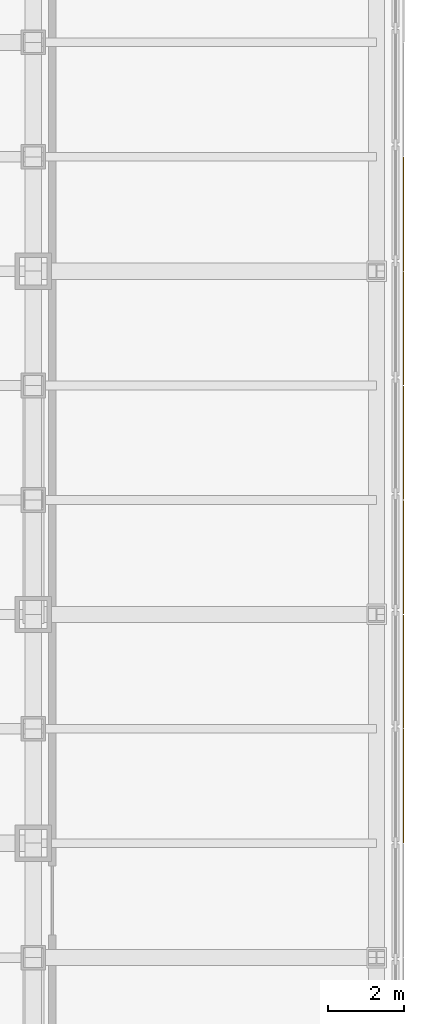
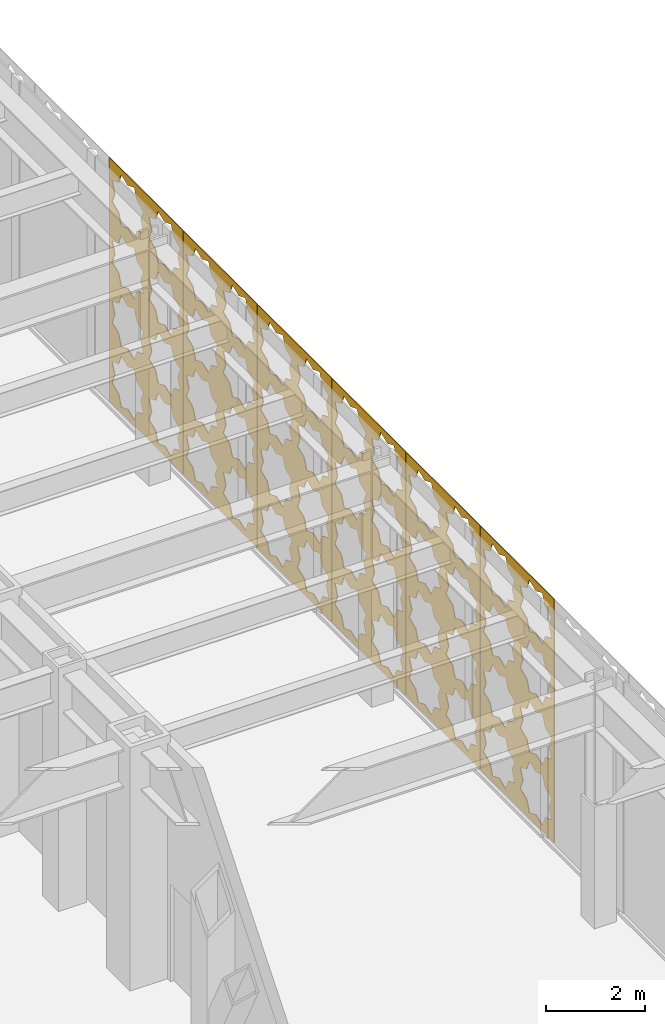
# One storey, part 31 of 32: 6 shading devices.
"""IFC4 building model written with IfcOpenShell, lengths in metres."""

from ifc_helpers import new_model, si_unit, direction, frame, origin, place, context, subcontext, project, spatial, polyline, outline, extrude, material, layer, layer_set, type_object, element, save


model = new_model("IFC4")

# Units and contexts
model_context = context("Model", 3, precision=1e-05, world=origin(), true_north=direction((0.0, 1.0)))
body_context = subcontext(model_context, "Body", "Model", "MODEL_VIEW")
ifc_project = project(units=[si_unit("LENGTHUNIT", "METRE"), si_unit("AREAUNIT", "SQUARE_METRE"), si_unit("VOLUMEUNIT", "CUBIC_METRE"), si_unit("PLANEANGLEUNIT", "RADIAN"), si_unit("MASSUNIT", "GRAM", prefix="KILO")], contexts=[model_context])

# Site, building, storey
site_placement = place(None, origin())
site = spatial("IfcSite", under=ifc_project, at=site_placement, CompositionType="ELEMENT")
building_placement = place(site_placement, origin())
building = spatial("IfcBuilding", under=site, at=building_placement, Name="Chuquiago Exchange Tower", CompositionType="ELEMENT")
storey_placement = place(building_placement, frame((0.0, 0.0, 13.5)))
storey = spatial("IfcBuildingStorey", under=building, at=storey_placement, Name="L02", CompositionType="ELEMENT", Elevation=13.5)

# Shading devices
ifc_material = material(Name="Pale metal, perforated in an eight-point star pattern", Category="aluminium")
ifc_layer = layer(ifc_material, 0.02001953125)
ifc_layer_set = layer_set([ifc_layer], Name="SC1 mashrabiya screen 20")
shading_device_type = type_object("IfcShadingDeviceType", Name="SC1 mashrabiya screen 20", PredefinedType="SHUTTER", material=ifc_layer_set)
shading_device_1_placement = place(storey_placement, frame((54.699951171875, 12.010009765625, -0.199951171875), z_axis=(0.0, 0.0, 1.0), x_axis=(0.0, 1.0, 0.0)))
element("IfcShadingDevice", 1, at=shading_device_1_placement, inside=storey, type_object=shading_device_type, Name="Mashrabiya screen L02 E 11", PredefinedType="SHUTTER", context=body_context, shape_type="SweptSolid", body=[
    extrude(outline(polyline([(0.0, 0.0), (2.97998046875, 0.0), (2.97998046875, 6.0), (0.0, 6.0), (0.0, 0.0)]), holes=[polyline([(1.26953125, 0.764892578125), (1.378173828125, 1.02734375), (1.115966796875, 1.135986328125), (1.00732421875, 1.398193359375), (0.7451171875, 1.28955078125), (0.482666015625, 1.398193359375), (0.3740234375, 1.135986328125), (0.11181640625, 1.02734375), (0.220458984375, 0.764892578125), (0.11181640625, 0.502685546875), (0.3740234375, 0.39404296875), (0.482666015625, 0.1318359375), (0.7451171875, 0.240234375), (1.00732421875, 0.1318359375), (1.115966796875, 0.39404296875), (1.378173828125, 0.502685546875), (1.26953125, 0.764892578125)]), polyline([(2.759521484375, 0.764892578125), (2.8681640625, 1.02734375), (2.60595703125, 1.135986328125), (2.497314453125, 1.398193359375), (2.235107421875, 1.28955078125), (1.97265625, 1.398193359375), (1.864013671875, 1.135986328125), (1.601806640625, 1.02734375), (1.71044921875, 0.764892578125), (1.601806640625, 0.502685546875), (1.864013671875, 0.39404296875), (1.97265625, 0.1318359375), (2.235107421875, 0.240234375), (2.497314453125, 0.1318359375), (2.60595703125, 0.39404296875), (2.8681640625, 0.502685546875), (2.759521484375, 0.764892578125)]), polyline([(1.26953125, 2.2548828125), (1.378173828125, 2.517333984375), (1.115966796875, 2.6259765625), (1.00732421875, 2.88818359375), (0.7451171875, 2.779541015625), (0.482666015625, 2.88818359375), (0.3740234375, 2.6259765625), (0.11181640625, 2.517333984375), (0.220458984375, 2.2548828125), (0.11181640625, 1.99267578125), (0.3740234375, 1.884033203125), (0.482666015625, 1.621826171875), (0.7451171875, 1.73046875), (1.00732421875, 1.621826171875), (1.115966796875, 1.884033203125), (1.378173828125, 1.99267578125), (1.26953125, 2.2548828125)]), polyline([(2.759521484375, 2.2548828125), (2.8681640625, 2.517333984375), (2.60595703125, 2.6259765625), (2.497314453125, 2.88818359375), (2.235107421875, 2.779541015625), (1.97265625, 2.88818359375), (1.864013671875, 2.6259765625), (1.601806640625, 2.517333984375), (1.71044921875, 2.2548828125), (1.601806640625, 1.99267578125), (1.864013671875, 1.884033203125), (1.97265625, 1.621826171875), (2.235107421875, 1.73046875), (2.497314453125, 1.621826171875), (2.60595703125, 1.884033203125), (2.8681640625, 1.99267578125), (2.759521484375, 2.2548828125)]), polyline([(1.26953125, 3.744873046875), (1.378173828125, 4.00732421875), (1.115966796875, 4.115966796875), (1.00732421875, 4.378173828125), (0.7451171875, 4.26953125), (0.482666015625, 4.378173828125), (0.3740234375, 4.115966796875), (0.11181640625, 4.00732421875), (0.220458984375, 3.744873046875), (0.11181640625, 3.482666015625), (0.3740234375, 3.3740234375), (0.482666015625, 3.11181640625), (0.7451171875, 3.220458984375), (1.00732421875, 3.11181640625), (1.115966796875, 3.3740234375), (1.378173828125, 3.482666015625), (1.26953125, 3.744873046875)]), polyline([(2.759521484375, 3.744873046875), (2.8681640625, 4.00732421875), (2.60595703125, 4.115966796875), (2.497314453125, 4.378173828125), (2.235107421875, 4.26953125), (1.97265625, 4.378173828125), (1.864013671875, 4.115966796875), (1.601806640625, 4.00732421875), (1.71044921875, 3.744873046875), (1.601806640625, 3.482666015625), (1.864013671875, 3.3740234375), (1.97265625, 3.11181640625), (2.235107421875, 3.220458984375), (2.497314453125, 3.11181640625), (2.60595703125, 3.3740234375), (2.8681640625, 3.482666015625), (2.759521484375, 3.744873046875)]), polyline([(1.26953125, 5.23486328125), (1.378173828125, 5.497314453125), (1.115966796875, 5.60595703125), (1.00732421875, 5.8681640625), (0.7451171875, 5.759521484375), (0.482666015625, 5.8681640625), (0.3740234375, 5.60595703125), (0.11181640625, 5.497314453125), (0.220458984375, 5.23486328125), (0.11181640625, 4.97265625), (0.3740234375, 4.864013671875), (0.482666015625, 4.601806640625), (0.7451171875, 4.71044921875), (1.00732421875, 4.601806640625), (1.115966796875, 4.864013671875), (1.378173828125, 4.97265625), (1.26953125, 5.23486328125)]), polyline([(2.759521484375, 5.23486328125), (2.8681640625, 5.497314453125), (2.60595703125, 5.60595703125), (2.497314453125, 5.8681640625), (2.235107421875, 5.759521484375), (1.97265625, 5.8681640625), (1.864013671875, 5.60595703125), (1.601806640625, 5.497314453125), (1.71044921875, 5.23486328125), (1.601806640625, 4.97265625), (1.864013671875, 4.864013671875), (1.97265625, 4.601806640625), (2.235107421875, 4.71044921875), (2.497314453125, 4.601806640625), (2.60595703125, 4.864013671875), (2.8681640625, 4.97265625), (2.759521484375, 5.23486328125)])]), frame((0.0, 0.0, 0.0), z_axis=(0.0, -1.0, 0.0), x_axis=(1.0, 0.0, 0.0)), (0.0, 0.0, 1.0), 0.02001953125),
])
shading_device_2_placement = place(storey_placement, frame((54.699951171875, 15.010009765625, -0.199951171875), z_axis=(0.0, 0.0, 1.0), x_axis=(0.0, 1.0, 0.0)))
element("IfcShadingDevice", 2, at=shading_device_2_placement, inside=storey, type_object=shading_device_type, Name="Mashrabiya screen L02 E 12", PredefinedType="SHUTTER", context=body_context, shape_type="SweptSolid", body=[
    extrude(outline(polyline([(0.0, 0.0), (2.97998046875, 0.0), (2.97998046875, 6.0), (0.0, 6.0), (0.0, 0.0)]), holes=[polyline([(1.26953125, 0.764892578125), (1.378173828125, 1.02734375), (1.115966796875, 1.135986328125), (1.00732421875, 1.398193359375), (0.7451171875, 1.28955078125), (0.482666015625, 1.398193359375), (0.3740234375, 1.135986328125), (0.11181640625, 1.02734375), (0.220458984375, 0.764892578125), (0.11181640625, 0.502685546875), (0.3740234375, 0.39404296875), (0.482666015625, 0.1318359375), (0.7451171875, 0.240234375), (1.00732421875, 0.1318359375), (1.115966796875, 0.39404296875), (1.378173828125, 0.502685546875), (1.26953125, 0.764892578125)]), polyline([(2.759521484375, 0.764892578125), (2.8681640625, 1.02734375), (2.60595703125, 1.135986328125), (2.497314453125, 1.398193359375), (2.235107421875, 1.28955078125), (1.97265625, 1.398193359375), (1.864013671875, 1.135986328125), (1.601806640625, 1.02734375), (1.71044921875, 0.764892578125), (1.601806640625, 0.502685546875), (1.864013671875, 0.39404296875), (1.97265625, 0.1318359375), (2.235107421875, 0.240234375), (2.497314453125, 0.1318359375), (2.60595703125, 0.39404296875), (2.8681640625, 0.502685546875), (2.759521484375, 0.764892578125)]), polyline([(1.26953125, 2.2548828125), (1.378173828125, 2.517333984375), (1.115966796875, 2.6259765625), (1.00732421875, 2.88818359375), (0.7451171875, 2.779541015625), (0.482666015625, 2.88818359375), (0.3740234375, 2.6259765625), (0.11181640625, 2.517333984375), (0.220458984375, 2.2548828125), (0.11181640625, 1.99267578125), (0.3740234375, 1.884033203125), (0.482666015625, 1.621826171875), (0.7451171875, 1.73046875), (1.00732421875, 1.621826171875), (1.115966796875, 1.884033203125), (1.378173828125, 1.99267578125), (1.26953125, 2.2548828125)]), polyline([(2.759521484375, 2.2548828125), (2.8681640625, 2.517333984375), (2.60595703125, 2.6259765625), (2.497314453125, 2.88818359375), (2.235107421875, 2.779541015625), (1.97265625, 2.88818359375), (1.864013671875, 2.6259765625), (1.601806640625, 2.517333984375), (1.71044921875, 2.2548828125), (1.601806640625, 1.99267578125), (1.864013671875, 1.884033203125), (1.97265625, 1.621826171875), (2.235107421875, 1.73046875), (2.497314453125, 1.621826171875), (2.60595703125, 1.884033203125), (2.8681640625, 1.99267578125), (2.759521484375, 2.2548828125)]), polyline([(1.26953125, 3.744873046875), (1.378173828125, 4.00732421875), (1.115966796875, 4.115966796875), (1.00732421875, 4.378173828125), (0.7451171875, 4.26953125), (0.482666015625, 4.378173828125), (0.3740234375, 4.115966796875), (0.11181640625, 4.00732421875), (0.220458984375, 3.744873046875), (0.11181640625, 3.482666015625), (0.3740234375, 3.3740234375), (0.482666015625, 3.11181640625), (0.7451171875, 3.220458984375), (1.00732421875, 3.11181640625), (1.115966796875, 3.3740234375), (1.378173828125, 3.482666015625), (1.26953125, 3.744873046875)]), polyline([(2.759521484375, 3.744873046875), (2.8681640625, 4.00732421875), (2.60595703125, 4.115966796875), (2.497314453125, 4.378173828125), (2.235107421875, 4.26953125), (1.97265625, 4.378173828125), (1.864013671875, 4.115966796875), (1.601806640625, 4.00732421875), (1.71044921875, 3.744873046875), (1.601806640625, 3.482666015625), (1.864013671875, 3.3740234375), (1.97265625, 3.11181640625), (2.235107421875, 3.220458984375), (2.497314453125, 3.11181640625), (2.60595703125, 3.3740234375), (2.8681640625, 3.482666015625), (2.759521484375, 3.744873046875)]), polyline([(1.26953125, 5.23486328125), (1.378173828125, 5.497314453125), (1.115966796875, 5.60595703125), (1.00732421875, 5.8681640625), (0.7451171875, 5.759521484375), (0.482666015625, 5.8681640625), (0.3740234375, 5.60595703125), (0.11181640625, 5.497314453125), (0.220458984375, 5.23486328125), (0.11181640625, 4.97265625), (0.3740234375, 4.864013671875), (0.482666015625, 4.601806640625), (0.7451171875, 4.71044921875), (1.00732421875, 4.601806640625), (1.115966796875, 4.864013671875), (1.378173828125, 4.97265625), (1.26953125, 5.23486328125)]), polyline([(2.759521484375, 5.23486328125), (2.8681640625, 5.497314453125), (2.60595703125, 5.60595703125), (2.497314453125, 5.8681640625), (2.235107421875, 5.759521484375), (1.97265625, 5.8681640625), (1.864013671875, 5.60595703125), (1.601806640625, 5.497314453125), (1.71044921875, 5.23486328125), (1.601806640625, 4.97265625), (1.864013671875, 4.864013671875), (1.97265625, 4.601806640625), (2.235107421875, 4.71044921875), (2.497314453125, 4.601806640625), (2.60595703125, 4.864013671875), (2.8681640625, 4.97265625), (2.759521484375, 5.23486328125)])]), frame((0.0, 0.0, 0.0), z_axis=(0.0, -1.0, 0.0), x_axis=(1.0, 0.0, 0.0)), (0.0, 0.0, 1.0), 0.02001953125),
])
shading_device_3_placement = place(storey_placement, frame((54.699951171875, 18.010009765625, -0.199951171875), z_axis=(0.0, 0.0, 1.0), x_axis=(0.0, 1.0, 0.0)))
element("IfcShadingDevice", 3, at=shading_device_3_placement, inside=storey, type_object=shading_device_type, Name="Mashrabiya screen L02 E 13", PredefinedType="SHUTTER", context=body_context, shape_type="SweptSolid", body=[
    extrude(outline(polyline([(0.0, 0.0), (2.97998046875, 0.0), (2.97998046875, 6.0), (0.0, 6.0), (0.0, 0.0)]), holes=[polyline([(1.26953125, 0.764892578125), (1.378173828125, 1.02734375), (1.115966796875, 1.135986328125), (1.00732421875, 1.398193359375), (0.7451171875, 1.28955078125), (0.482666015625, 1.398193359375), (0.3740234375, 1.135986328125), (0.11181640625, 1.02734375), (0.220458984375, 0.764892578125), (0.11181640625, 0.502685546875), (0.3740234375, 0.39404296875), (0.482666015625, 0.1318359375), (0.7451171875, 0.240234375), (1.00732421875, 0.1318359375), (1.115966796875, 0.39404296875), (1.378173828125, 0.502685546875), (1.26953125, 0.764892578125)]), polyline([(2.759521484375, 0.764892578125), (2.8681640625, 1.02734375), (2.60595703125, 1.135986328125), (2.497314453125, 1.398193359375), (2.235107421875, 1.28955078125), (1.97265625, 1.398193359375), (1.864013671875, 1.135986328125), (1.601806640625, 1.02734375), (1.71044921875, 0.764892578125), (1.601806640625, 0.502685546875), (1.864013671875, 0.39404296875), (1.97265625, 0.1318359375), (2.235107421875, 0.240234375), (2.497314453125, 0.1318359375), (2.60595703125, 0.39404296875), (2.8681640625, 0.502685546875), (2.759521484375, 0.764892578125)]), polyline([(1.26953125, 2.2548828125), (1.378173828125, 2.517333984375), (1.115966796875, 2.6259765625), (1.00732421875, 2.88818359375), (0.7451171875, 2.779541015625), (0.482666015625, 2.88818359375), (0.3740234375, 2.6259765625), (0.11181640625, 2.517333984375), (0.220458984375, 2.2548828125), (0.11181640625, 1.99267578125), (0.3740234375, 1.884033203125), (0.482666015625, 1.621826171875), (0.7451171875, 1.73046875), (1.00732421875, 1.621826171875), (1.115966796875, 1.884033203125), (1.378173828125, 1.99267578125), (1.26953125, 2.2548828125)]), polyline([(2.759521484375, 2.2548828125), (2.8681640625, 2.517333984375), (2.60595703125, 2.6259765625), (2.497314453125, 2.88818359375), (2.235107421875, 2.779541015625), (1.97265625, 2.88818359375), (1.864013671875, 2.6259765625), (1.601806640625, 2.517333984375), (1.71044921875, 2.2548828125), (1.601806640625, 1.99267578125), (1.864013671875, 1.884033203125), (1.97265625, 1.621826171875), (2.235107421875, 1.73046875), (2.497314453125, 1.621826171875), (2.60595703125, 1.884033203125), (2.8681640625, 1.99267578125), (2.759521484375, 2.2548828125)]), polyline([(1.26953125, 3.744873046875), (1.378173828125, 4.00732421875), (1.115966796875, 4.115966796875), (1.00732421875, 4.378173828125), (0.7451171875, 4.26953125), (0.482666015625, 4.378173828125), (0.3740234375, 4.115966796875), (0.11181640625, 4.00732421875), (0.220458984375, 3.744873046875), (0.11181640625, 3.482666015625), (0.3740234375, 3.3740234375), (0.482666015625, 3.11181640625), (0.7451171875, 3.220458984375), (1.00732421875, 3.11181640625), (1.115966796875, 3.3740234375), (1.378173828125, 3.482666015625), (1.26953125, 3.744873046875)]), polyline([(2.759521484375, 3.744873046875), (2.8681640625, 4.00732421875), (2.60595703125, 4.115966796875), (2.497314453125, 4.378173828125), (2.235107421875, 4.26953125), (1.97265625, 4.378173828125), (1.864013671875, 4.115966796875), (1.601806640625, 4.00732421875), (1.71044921875, 3.744873046875), (1.601806640625, 3.482666015625), (1.864013671875, 3.3740234375), (1.97265625, 3.11181640625), (2.235107421875, 3.220458984375), (2.497314453125, 3.11181640625), (2.60595703125, 3.3740234375), (2.8681640625, 3.482666015625), (2.759521484375, 3.744873046875)]), polyline([(1.26953125, 5.23486328125), (1.378173828125, 5.497314453125), (1.115966796875, 5.60595703125), (1.00732421875, 5.8681640625), (0.7451171875, 5.759521484375), (0.482666015625, 5.8681640625), (0.3740234375, 5.60595703125), (0.11181640625, 5.497314453125), (0.220458984375, 5.23486328125), (0.11181640625, 4.97265625), (0.3740234375, 4.864013671875), (0.482666015625, 4.601806640625), (0.7451171875, 4.71044921875), (1.00732421875, 4.601806640625), (1.115966796875, 4.864013671875), (1.378173828125, 4.97265625), (1.26953125, 5.23486328125)]), polyline([(2.759521484375, 5.23486328125), (2.8681640625, 5.497314453125), (2.60595703125, 5.60595703125), (2.497314453125, 5.8681640625), (2.235107421875, 5.759521484375), (1.97265625, 5.8681640625), (1.864013671875, 5.60595703125), (1.601806640625, 5.497314453125), (1.71044921875, 5.23486328125), (1.601806640625, 4.97265625), (1.864013671875, 4.864013671875), (1.97265625, 4.601806640625), (2.235107421875, 4.71044921875), (2.497314453125, 4.601806640625), (2.60595703125, 4.864013671875), (2.8681640625, 4.97265625), (2.759521484375, 5.23486328125)])]), frame((0.0, 0.0, 0.0), z_axis=(0.0, -1.0, 0.0), x_axis=(1.0, 0.0, 0.0)), (0.0, 0.0, 1.0), 0.02001953125),
])
shading_device_4_placement = place(storey_placement, frame((54.699951171875, 21.010009765625, -0.199951171875), z_axis=(0.0, 0.0, 1.0), x_axis=(0.0, 1.0, 0.0)))
element("IfcShadingDevice", 4, at=shading_device_4_placement, inside=storey, type_object=shading_device_type, Name="Mashrabiya screen L02 E 14", PredefinedType="SHUTTER", context=body_context, shape_type="SweptSolid", body=[
    extrude(outline(polyline([(0.0, 0.0), (2.97998046875, 0.0), (2.97998046875, 6.0), (0.0, 6.0), (0.0, 0.0)]), holes=[polyline([(1.26953125, 0.764892578125), (1.378173828125, 1.02734375), (1.115966796875, 1.135986328125), (1.00732421875, 1.398193359375), (0.7451171875, 1.28955078125), (0.482666015625, 1.398193359375), (0.3740234375, 1.135986328125), (0.11181640625, 1.02734375), (0.220458984375, 0.764892578125), (0.11181640625, 0.502685546875), (0.3740234375, 0.39404296875), (0.482666015625, 0.1318359375), (0.7451171875, 0.240234375), (1.00732421875, 0.1318359375), (1.115966796875, 0.39404296875), (1.378173828125, 0.502685546875), (1.26953125, 0.764892578125)]), polyline([(2.759521484375, 0.764892578125), (2.8681640625, 1.02734375), (2.60595703125, 1.135986328125), (2.497314453125, 1.398193359375), (2.235107421875, 1.28955078125), (1.97265625, 1.398193359375), (1.864013671875, 1.135986328125), (1.601806640625, 1.02734375), (1.71044921875, 0.764892578125), (1.601806640625, 0.502685546875), (1.864013671875, 0.39404296875), (1.97265625, 0.1318359375), (2.235107421875, 0.240234375), (2.497314453125, 0.1318359375), (2.60595703125, 0.39404296875), (2.8681640625, 0.502685546875), (2.759521484375, 0.764892578125)]), polyline([(1.26953125, 2.2548828125), (1.378173828125, 2.517333984375), (1.115966796875, 2.6259765625), (1.00732421875, 2.88818359375), (0.7451171875, 2.779541015625), (0.482666015625, 2.88818359375), (0.3740234375, 2.6259765625), (0.11181640625, 2.517333984375), (0.220458984375, 2.2548828125), (0.11181640625, 1.99267578125), (0.3740234375, 1.884033203125), (0.482666015625, 1.621826171875), (0.7451171875, 1.73046875), (1.00732421875, 1.621826171875), (1.115966796875, 1.884033203125), (1.378173828125, 1.99267578125), (1.26953125, 2.2548828125)]), polyline([(2.759521484375, 2.2548828125), (2.8681640625, 2.517333984375), (2.60595703125, 2.6259765625), (2.497314453125, 2.88818359375), (2.235107421875, 2.779541015625), (1.97265625, 2.88818359375), (1.864013671875, 2.6259765625), (1.601806640625, 2.517333984375), (1.71044921875, 2.2548828125), (1.601806640625, 1.99267578125), (1.864013671875, 1.884033203125), (1.97265625, 1.621826171875), (2.235107421875, 1.73046875), (2.497314453125, 1.621826171875), (2.60595703125, 1.884033203125), (2.8681640625, 1.99267578125), (2.759521484375, 2.2548828125)]), polyline([(1.26953125, 3.744873046875), (1.378173828125, 4.00732421875), (1.115966796875, 4.115966796875), (1.00732421875, 4.378173828125), (0.7451171875, 4.26953125), (0.482666015625, 4.378173828125), (0.3740234375, 4.115966796875), (0.11181640625, 4.00732421875), (0.220458984375, 3.744873046875), (0.11181640625, 3.482666015625), (0.3740234375, 3.3740234375), (0.482666015625, 3.11181640625), (0.7451171875, 3.220458984375), (1.00732421875, 3.11181640625), (1.115966796875, 3.3740234375), (1.378173828125, 3.482666015625), (1.26953125, 3.744873046875)]), polyline([(2.759521484375, 3.744873046875), (2.8681640625, 4.00732421875), (2.60595703125, 4.115966796875), (2.497314453125, 4.378173828125), (2.235107421875, 4.26953125), (1.97265625, 4.378173828125), (1.864013671875, 4.115966796875), (1.601806640625, 4.00732421875), (1.71044921875, 3.744873046875), (1.601806640625, 3.482666015625), (1.864013671875, 3.3740234375), (1.97265625, 3.11181640625), (2.235107421875, 3.220458984375), (2.497314453125, 3.11181640625), (2.60595703125, 3.3740234375), (2.8681640625, 3.482666015625), (2.759521484375, 3.744873046875)]), polyline([(1.26953125, 5.23486328125), (1.378173828125, 5.497314453125), (1.115966796875, 5.60595703125), (1.00732421875, 5.8681640625), (0.7451171875, 5.759521484375), (0.482666015625, 5.8681640625), (0.3740234375, 5.60595703125), (0.11181640625, 5.497314453125), (0.220458984375, 5.23486328125), (0.11181640625, 4.97265625), (0.3740234375, 4.864013671875), (0.482666015625, 4.601806640625), (0.7451171875, 4.71044921875), (1.00732421875, 4.601806640625), (1.115966796875, 4.864013671875), (1.378173828125, 4.97265625), (1.26953125, 5.23486328125)]), polyline([(2.759521484375, 5.23486328125), (2.8681640625, 5.497314453125), (2.60595703125, 5.60595703125), (2.497314453125, 5.8681640625), (2.235107421875, 5.759521484375), (1.97265625, 5.8681640625), (1.864013671875, 5.60595703125), (1.601806640625, 5.497314453125), (1.71044921875, 5.23486328125), (1.601806640625, 4.97265625), (1.864013671875, 4.864013671875), (1.97265625, 4.601806640625), (2.235107421875, 4.71044921875), (2.497314453125, 4.601806640625), (2.60595703125, 4.864013671875), (2.8681640625, 4.97265625), (2.759521484375, 5.23486328125)])]), frame((0.0, 0.0, 0.0), z_axis=(0.0, -1.0, 0.0), x_axis=(1.0, 0.0, 0.0)), (0.0, 0.0, 1.0), 0.02001953125),
])
shading_device_5_placement = place(storey_placement, frame((54.699951171875, 24.010009765625, -0.199951171875), z_axis=(0.0, 0.0, 1.0), x_axis=(0.0, 1.0, 0.0)))
element("IfcShadingDevice", 5, at=shading_device_5_placement, inside=storey, type_object=shading_device_type, Name="Mashrabiya screen L02 E 15", PredefinedType="SHUTTER", context=body_context, shape_type="SweptSolid", body=[
    extrude(outline(polyline([(0.0, 0.0), (2.97998046875, 0.0), (2.97998046875, 6.0), (0.0, 6.0), (0.0, 0.0)]), holes=[polyline([(1.26953125, 0.764892578125), (1.378173828125, 1.02734375), (1.115966796875, 1.135986328125), (1.00732421875, 1.398193359375), (0.7451171875, 1.28955078125), (0.482666015625, 1.398193359375), (0.3740234375, 1.135986328125), (0.11181640625, 1.02734375), (0.220458984375, 0.764892578125), (0.11181640625, 0.502685546875), (0.3740234375, 0.39404296875), (0.482666015625, 0.1318359375), (0.7451171875, 0.240234375), (1.00732421875, 0.1318359375), (1.115966796875, 0.39404296875), (1.378173828125, 0.502685546875), (1.26953125, 0.764892578125)]), polyline([(2.759521484375, 0.764892578125), (2.8681640625, 1.02734375), (2.60595703125, 1.135986328125), (2.497314453125, 1.398193359375), (2.235107421875, 1.28955078125), (1.97265625, 1.398193359375), (1.864013671875, 1.135986328125), (1.601806640625, 1.02734375), (1.71044921875, 0.764892578125), (1.601806640625, 0.502685546875), (1.864013671875, 0.39404296875), (1.97265625, 0.1318359375), (2.235107421875, 0.240234375), (2.497314453125, 0.1318359375), (2.60595703125, 0.39404296875), (2.8681640625, 0.502685546875), (2.759521484375, 0.764892578125)]), polyline([(1.26953125, 2.2548828125), (1.378173828125, 2.517333984375), (1.115966796875, 2.6259765625), (1.00732421875, 2.88818359375), (0.7451171875, 2.779541015625), (0.482666015625, 2.88818359375), (0.3740234375, 2.6259765625), (0.11181640625, 2.517333984375), (0.220458984375, 2.2548828125), (0.11181640625, 1.99267578125), (0.3740234375, 1.884033203125), (0.482666015625, 1.621826171875), (0.7451171875, 1.73046875), (1.00732421875, 1.621826171875), (1.115966796875, 1.884033203125), (1.378173828125, 1.99267578125), (1.26953125, 2.2548828125)]), polyline([(2.759521484375, 2.2548828125), (2.8681640625, 2.517333984375), (2.60595703125, 2.6259765625), (2.497314453125, 2.88818359375), (2.235107421875, 2.779541015625), (1.97265625, 2.88818359375), (1.864013671875, 2.6259765625), (1.601806640625, 2.517333984375), (1.71044921875, 2.2548828125), (1.601806640625, 1.99267578125), (1.864013671875, 1.884033203125), (1.97265625, 1.621826171875), (2.235107421875, 1.73046875), (2.497314453125, 1.621826171875), (2.60595703125, 1.884033203125), (2.8681640625, 1.99267578125), (2.759521484375, 2.2548828125)]), polyline([(1.26953125, 3.744873046875), (1.378173828125, 4.00732421875), (1.115966796875, 4.115966796875), (1.00732421875, 4.378173828125), (0.7451171875, 4.26953125), (0.482666015625, 4.378173828125), (0.3740234375, 4.115966796875), (0.11181640625, 4.00732421875), (0.220458984375, 3.744873046875), (0.11181640625, 3.482666015625), (0.3740234375, 3.3740234375), (0.482666015625, 3.11181640625), (0.7451171875, 3.220458984375), (1.00732421875, 3.11181640625), (1.115966796875, 3.3740234375), (1.378173828125, 3.482666015625), (1.26953125, 3.744873046875)]), polyline([(2.759521484375, 3.744873046875), (2.8681640625, 4.00732421875), (2.60595703125, 4.115966796875), (2.497314453125, 4.378173828125), (2.235107421875, 4.26953125), (1.97265625, 4.378173828125), (1.864013671875, 4.115966796875), (1.601806640625, 4.00732421875), (1.71044921875, 3.744873046875), (1.601806640625, 3.482666015625), (1.864013671875, 3.3740234375), (1.97265625, 3.11181640625), (2.235107421875, 3.220458984375), (2.497314453125, 3.11181640625), (2.60595703125, 3.3740234375), (2.8681640625, 3.482666015625), (2.759521484375, 3.744873046875)]), polyline([(1.26953125, 5.23486328125), (1.378173828125, 5.497314453125), (1.115966796875, 5.60595703125), (1.00732421875, 5.8681640625), (0.7451171875, 5.759521484375), (0.482666015625, 5.8681640625), (0.3740234375, 5.60595703125), (0.11181640625, 5.497314453125), (0.220458984375, 5.23486328125), (0.11181640625, 4.97265625), (0.3740234375, 4.864013671875), (0.482666015625, 4.601806640625), (0.7451171875, 4.71044921875), (1.00732421875, 4.601806640625), (1.115966796875, 4.864013671875), (1.378173828125, 4.97265625), (1.26953125, 5.23486328125)]), polyline([(2.759521484375, 5.23486328125), (2.8681640625, 5.497314453125), (2.60595703125, 5.60595703125), (2.497314453125, 5.8681640625), (2.235107421875, 5.759521484375), (1.97265625, 5.8681640625), (1.864013671875, 5.60595703125), (1.601806640625, 5.497314453125), (1.71044921875, 5.23486328125), (1.601806640625, 4.97265625), (1.864013671875, 4.864013671875), (1.97265625, 4.601806640625), (2.235107421875, 4.71044921875), (2.497314453125, 4.601806640625), (2.60595703125, 4.864013671875), (2.8681640625, 4.97265625), (2.759521484375, 5.23486328125)])]), frame((0.0, 0.0, 0.0), z_axis=(0.0, -1.0, 0.0), x_axis=(1.0, 0.0, 0.0)), (0.0, 0.0, 1.0), 0.02001953125),
])
shading_device_6_placement = place(storey_placement, frame((54.699951171875, 27.010009765625, -0.199951171875), z_axis=(0.0, 0.0, 1.0), x_axis=(0.0, 1.0, 0.0)))
element("IfcShadingDevice", 6, at=shading_device_6_placement, inside=storey, type_object=shading_device_type, Name="Mashrabiya screen L02 E 16", PredefinedType="SHUTTER", context=body_context, shape_type="SweptSolid", body=[
    extrude(outline(polyline([(0.0, 0.0), (2.97998046875, 0.0), (2.97998046875, 6.0), (0.0, 6.0), (0.0, 0.0)]), holes=[polyline([(1.26953125, 0.764892578125), (1.378173828125, 1.02734375), (1.115966796875, 1.135986328125), (1.00732421875, 1.398193359375), (0.7451171875, 1.28955078125), (0.482666015625, 1.398193359375), (0.3740234375, 1.135986328125), (0.11181640625, 1.02734375), (0.220458984375, 0.764892578125), (0.11181640625, 0.502685546875), (0.3740234375, 0.39404296875), (0.482666015625, 0.1318359375), (0.7451171875, 0.240234375), (1.00732421875, 0.1318359375), (1.115966796875, 0.39404296875), (1.378173828125, 0.502685546875), (1.26953125, 0.764892578125)]), polyline([(2.759521484375, 0.764892578125), (2.8681640625, 1.02734375), (2.60595703125, 1.135986328125), (2.497314453125, 1.398193359375), (2.235107421875, 1.28955078125), (1.97265625, 1.398193359375), (1.864013671875, 1.135986328125), (1.601806640625, 1.02734375), (1.71044921875, 0.764892578125), (1.601806640625, 0.502685546875), (1.864013671875, 0.39404296875), (1.97265625, 0.1318359375), (2.235107421875, 0.240234375), (2.497314453125, 0.1318359375), (2.60595703125, 0.39404296875), (2.8681640625, 0.502685546875), (2.759521484375, 0.764892578125)]), polyline([(1.26953125, 2.2548828125), (1.378173828125, 2.517333984375), (1.115966796875, 2.6259765625), (1.00732421875, 2.88818359375), (0.7451171875, 2.779541015625), (0.482666015625, 2.88818359375), (0.3740234375, 2.6259765625), (0.11181640625, 2.517333984375), (0.220458984375, 2.2548828125), (0.11181640625, 1.99267578125), (0.3740234375, 1.884033203125), (0.482666015625, 1.621826171875), (0.7451171875, 1.73046875), (1.00732421875, 1.621826171875), (1.115966796875, 1.884033203125), (1.378173828125, 1.99267578125), (1.26953125, 2.2548828125)]), polyline([(2.759521484375, 2.2548828125), (2.8681640625, 2.517333984375), (2.60595703125, 2.6259765625), (2.497314453125, 2.88818359375), (2.235107421875, 2.779541015625), (1.97265625, 2.88818359375), (1.864013671875, 2.6259765625), (1.601806640625, 2.517333984375), (1.71044921875, 2.2548828125), (1.601806640625, 1.99267578125), (1.864013671875, 1.884033203125), (1.97265625, 1.621826171875), (2.235107421875, 1.73046875), (2.497314453125, 1.621826171875), (2.60595703125, 1.884033203125), (2.8681640625, 1.99267578125), (2.759521484375, 2.2548828125)]), polyline([(1.26953125, 3.744873046875), (1.378173828125, 4.00732421875), (1.115966796875, 4.115966796875), (1.00732421875, 4.378173828125), (0.7451171875, 4.26953125), (0.482666015625, 4.378173828125), (0.3740234375, 4.115966796875), (0.11181640625, 4.00732421875), (0.220458984375, 3.744873046875), (0.11181640625, 3.482666015625), (0.3740234375, 3.3740234375), (0.482666015625, 3.11181640625), (0.7451171875, 3.220458984375), (1.00732421875, 3.11181640625), (1.115966796875, 3.3740234375), (1.378173828125, 3.482666015625), (1.26953125, 3.744873046875)]), polyline([(2.759521484375, 3.744873046875), (2.8681640625, 4.00732421875), (2.60595703125, 4.115966796875), (2.497314453125, 4.378173828125), (2.235107421875, 4.26953125), (1.97265625, 4.378173828125), (1.864013671875, 4.115966796875), (1.601806640625, 4.00732421875), (1.71044921875, 3.744873046875), (1.601806640625, 3.482666015625), (1.864013671875, 3.3740234375), (1.97265625, 3.11181640625), (2.235107421875, 3.220458984375), (2.497314453125, 3.11181640625), (2.60595703125, 3.3740234375), (2.8681640625, 3.482666015625), (2.759521484375, 3.744873046875)]), polyline([(1.26953125, 5.23486328125), (1.378173828125, 5.497314453125), (1.115966796875, 5.60595703125), (1.00732421875, 5.8681640625), (0.7451171875, 5.759521484375), (0.482666015625, 5.8681640625), (0.3740234375, 5.60595703125), (0.11181640625, 5.497314453125), (0.220458984375, 5.23486328125), (0.11181640625, 4.97265625), (0.3740234375, 4.864013671875), (0.482666015625, 4.601806640625), (0.7451171875, 4.71044921875), (1.00732421875, 4.601806640625), (1.115966796875, 4.864013671875), (1.378173828125, 4.97265625), (1.26953125, 5.23486328125)]), polyline([(2.759521484375, 5.23486328125), (2.8681640625, 5.497314453125), (2.60595703125, 5.60595703125), (2.497314453125, 5.8681640625), (2.235107421875, 5.759521484375), (1.97265625, 5.8681640625), (1.864013671875, 5.60595703125), (1.601806640625, 5.497314453125), (1.71044921875, 5.23486328125), (1.601806640625, 4.97265625), (1.864013671875, 4.864013671875), (1.97265625, 4.601806640625), (2.235107421875, 4.71044921875), (2.497314453125, 4.601806640625), (2.60595703125, 4.864013671875), (2.8681640625, 4.97265625), (2.759521484375, 5.23486328125)])]), frame((0.0, 0.0, 0.0), z_axis=(0.0, -1.0, 0.0), x_axis=(1.0, 0.0, 0.0)), (0.0, 0.0, 1.0), 0.02001953125),
])

save(model, "model.ifc")
